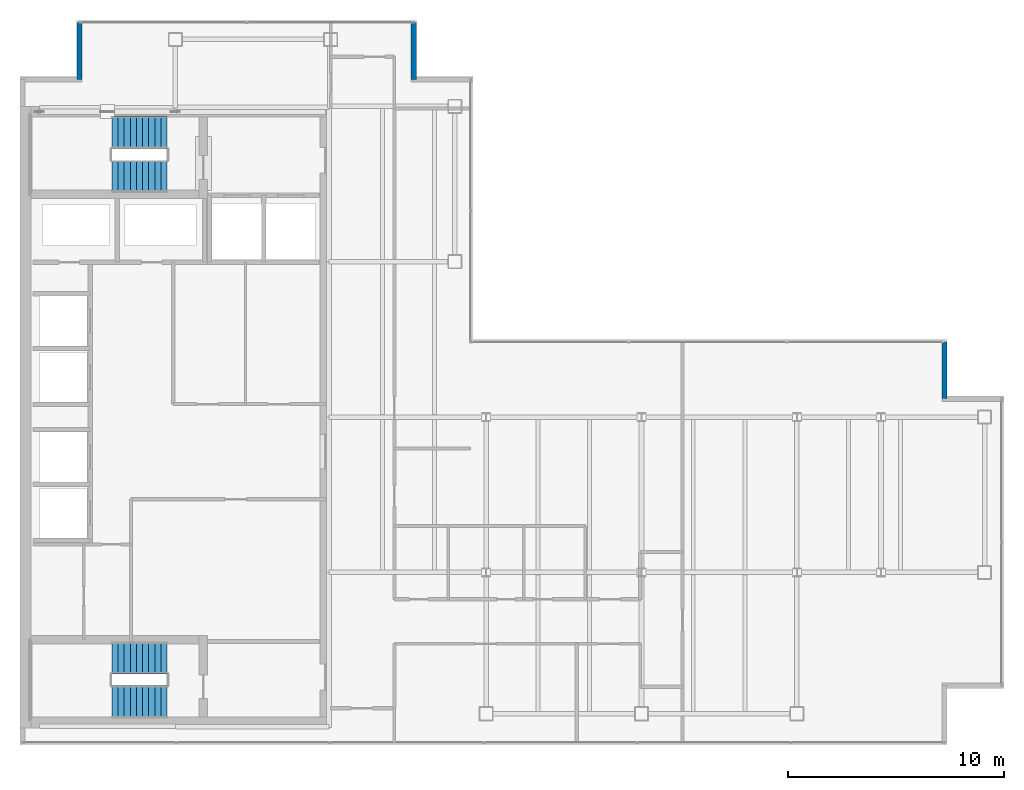
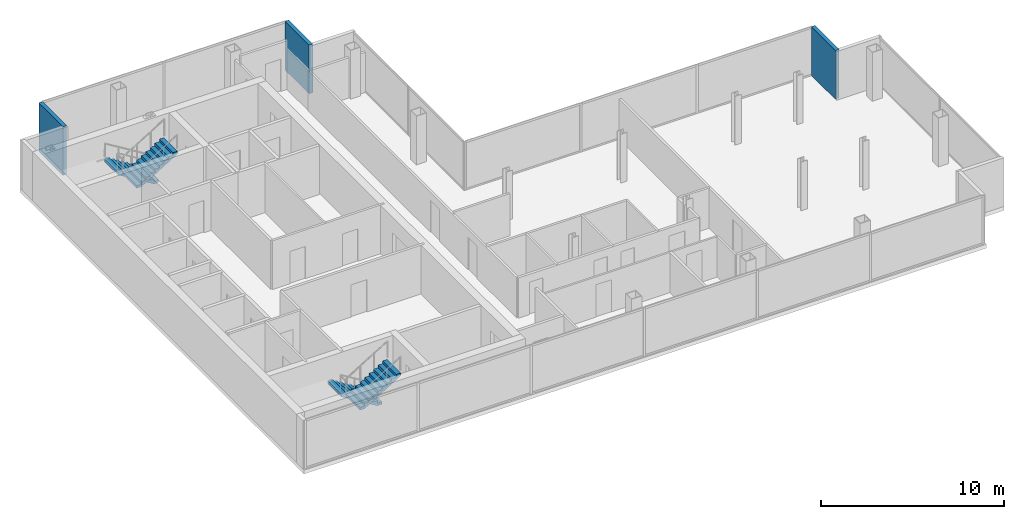
# One storey, part 22 of 23: 4 stair flights, 3 walls, 2 elements without a shape of their own.
"""IFC4 building model written with IfcOpenShell, lengths in metres."""

from ifc_helpers import new_model, si_unit, direction, frame, frame_2d, origin, place, context, subcontext, project, spatial, polyline, rectangle, outline, extrude, material, layer, layer_set, type_object, element, aggregate, save


model = new_model("IFC4")

# Units and contexts
model_context = context("Model", 3, precision=1e-05, world=origin(), true_north=direction((0.0, 1.0)))
body_context = subcontext(model_context, "Body", "Model", "MODEL_VIEW")
ifc_project = project(units=[si_unit("LENGTHUNIT", "METRE"), si_unit("AREAUNIT", "SQUARE_METRE"), si_unit("VOLUMEUNIT", "CUBIC_METRE"), si_unit("PLANEANGLEUNIT", "RADIAN"), si_unit("MASSUNIT", "GRAM", prefix="KILO")], contexts=[model_context])

# Site, building, storey
site_placement = place(None, origin())
site = spatial("IfcSite", under=ifc_project, at=site_placement, CompositionType="ELEMENT")
building_placement = place(site_placement, origin())
building = spatial("IfcBuilding", under=site, at=building_placement, Name="Cobrela Telecom Tower", CompositionType="ELEMENT")
storey_placement = place(building_placement, frame((0.0, 0.0, 276.14990234375)))
storey = spatial("IfcBuildingStorey", under=building, at=storey_placement, Name="L72", CompositionType="ELEMENT", Elevation=276.14990234375)

# Walls
ifc_material = material(Name="Concrete C40/50", Category="concrete")
ifc_layer = layer(ifc_material, 0.239990234375)
ifc_layer_set = layer_set([ifc_layer], Name="Concrete C40/50")
wall_type = type_object("IfcWallType", Name="WALL-EXT-300", PredefinedType="STANDARD", material=ifc_layer_set)
for number, where, z_axis, x_axis, name in (
    (1, (2.75, 37.25, 0.0), (0.0, 0.0, 1.0), (0.0, 1.0, 0.0), "L72 Insulated Facade Wall 04"),
    (2, (18.25, 39.8798828125, 0.0), (0.0, 0.0, 1.0), (0.0, -1.0, 0.0), "L72 Insulated Facade Wall 06"),
):
    element("IfcWall", number, at=place(storey_placement, frame(where, z_axis=z_axis, x_axis=x_axis)), inside=storey, type_object=wall_type, Name=name, PredefinedType="STANDARD", context=body_context, shape_type="SweptSolid", body=[
        extrude(rectangle(XDim=2.6298828125, YDim=0.239990234375, at=frame_2d((1.31494140625, 0.0))), origin(), (0.0, 0.0, 1.0), 3.239990234375),
    ])
wall_placement = place(storey_placement, frame((42.85009765625, 25.080078125, 0.0), z_axis=(0.0, 0.0, 1.0), x_axis=(0.0, -1.0, 0.0)))
element("IfcWall", 3, at=wall_placement, inside=storey, type_object=wall_type, Name="L72 Insulated Facade Wall 10", PredefinedType="STANDARD", context=body_context, shape_type="SweptSolid", body=[
    extrude(rectangle(XDim=2.630126953125, YDim=0.239990234375, at=frame_2d((1.31494140625, 0.0))), origin(), (0.0, 0.0, 1.0), 3.239990234375),
])

# Stair, stair flights
stair_type = type_object("IfcStairType", Name="STAIR-CORE", PredefinedType="HALF_TURN_STAIR", material=ifc_material)
stair_1_placement = place(storey_placement, origin())
stair_1 = element("IfcStair", 4, at=stair_1_placement, inside=storey, type_object=stair_type, Name="L72 Smokeproof Exit Stair ST1", PredefinedType="HALF_TURN_STAIR")
stair_flight_type = type_object("IfcStairFlightType", Name="FLIGHT-CORE", PredefinedType="STRAIGHT", material=ifc_material)
stair_flight_1_placement = place(storey_placement, frame((6.820068359375, 34.800048828125, 0.0), z_axis=(0.0, 0.0, 1.0), x_axis=(-1.0, 0.0, 0.0)))
stair_flight_1 = element("IfcStairFlight", 5, at=stair_flight_1_placement, type_object=stair_flight_type, Name="ST1 flight 1", NumberOfRisers=10, NumberOfTreads=9, PredefinedType="STRAIGHT", RiserHeight=0.175, TreadLength=0.285, context=body_context, shape_type="SweptSolid", body=[
    extrude(outline(polyline([(0.0, 0.0), (0.0, 0.175048828125), (0.284912109375, 0.175048828125), (0.284912109375, 0.35009765625), (0.570068359375, 0.35009765625), (0.570068359375, 0.52490234375), (0.85498046875, 0.52490234375), (0.85498046875, 0.699951171875), (1.139892578125, 0.699951171875), (1.139892578125, 0.875), (1.425048828125, 0.875), (1.425048828125, 1.050048828125), (1.7099609375, 1.050048828125), (1.7099609375, 1.22509765625), (1.9951171875, 1.22509765625), (1.9951171875, 1.39990234375), (2.280029296875, 1.39990234375), (2.280029296875, 1.574951171875), (2.56494140625, 1.574951171875), (2.56494140625, 1.75), (2.56494140625, 1.399169921875), (0.286376953125, 0.0), (0.0, 0.0)])), frame((0.0, 0.75, 0.0), z_axis=(0.0, -1.0, 0.0), x_axis=(1.0, 0.0, 0.0)), (0.0, 0.0, 1.0), 1.5),
])
stair_flight_2_placement = place(storey_placement, frame((4.2548828125, 32.75, 1.75), z_axis=(0.0, 0.0, 1.0), x_axis=(1.0, 0.0, 0.0)))
stair_flight_2 = element("IfcStairFlight", 6, at=stair_flight_2_placement, type_object=stair_flight_type, Name="ST1 flight 2", NumberOfRisers=10, NumberOfTreads=9, PredefinedType="STRAIGHT", RiserHeight=0.175, TreadLength=0.285, context=body_context, shape_type="SweptSolid", body=[
    extrude(outline(polyline([(0.0, 0.0), (0.0, 0.175048828125), (0.284912109375, 0.175048828125), (0.284912109375, 0.35009765625), (0.570068359375, 0.35009765625), (0.570068359375, 0.52490234375), (0.85498046875, 0.52490234375), (0.85498046875, 0.699951171875), (1.139892578125, 0.699951171875), (1.139892578125, 0.875), (1.425048828125, 0.875), (1.425048828125, 1.050048828125), (1.7099609375, 1.050048828125), (1.7099609375, 1.22509765625), (1.9951171875, 1.22509765625), (1.9951171875, 1.39990234375), (2.280029296875, 1.39990234375), (2.280029296875, 1.574951171875), (2.56494140625, 1.574951171875), (2.56494140625, 1.75), (2.56494140625, 1.399169921875), (0.286376953125, 0.0), (0.0, 0.0)])), frame((0.0, 0.75, 0.0), z_axis=(0.0, -1.0, 0.0), x_axis=(1.0, 0.0, 0.0)), (0.0, 0.0, 1.0), 1.5),
])
aggregate(stair_1, [stair_flight_1, stair_flight_2])

stair_2_placement = place(storey_placement, origin())
stair_2 = element("IfcStair", 7, at=stair_2_placement, inside=storey, type_object=stair_type, Name="L72 Smokeproof Exit Stair ST2", PredefinedType="HALF_TURN_STAIR")
stair_flight_3_placement = place(storey_placement, frame((6.820068359375, 10.449951171875, 0.0), z_axis=(0.0, 0.0, 1.0), x_axis=(-1.0, 0.0, 0.0)))
stair_flight_3 = element("IfcStairFlight", 8, at=stair_flight_3_placement, type_object=stair_flight_type, Name="ST2 flight 1", NumberOfRisers=10, NumberOfTreads=9, PredefinedType="STRAIGHT", RiserHeight=0.175, TreadLength=0.285, context=body_context, shape_type="SweptSolid", body=[
    extrude(outline(polyline([(0.0, 0.0), (0.0, 0.175048828125), (0.284912109375, 0.175048828125), (0.284912109375, 0.35009765625), (0.570068359375, 0.35009765625), (0.570068359375, 0.52490234375), (0.85498046875, 0.52490234375), (0.85498046875, 0.699951171875), (1.139892578125, 0.699951171875), (1.139892578125, 0.875), (1.425048828125, 0.875), (1.425048828125, 1.050048828125), (1.7099609375, 1.050048828125), (1.7099609375, 1.22509765625), (1.9951171875, 1.22509765625), (1.9951171875, 1.39990234375), (2.280029296875, 1.39990234375), (2.280029296875, 1.574951171875), (2.56494140625, 1.574951171875), (2.56494140625, 1.75), (2.56494140625, 1.399169921875), (0.286376953125, 0.0), (0.0, 0.0)])), frame((0.0, 0.75, 0.0), z_axis=(0.0, -1.0, 0.0), x_axis=(1.0, 0.0, 0.0)), (0.0, 0.0, 1.0), 1.5),
])
stair_flight_4_placement = place(storey_placement, frame((4.2548828125, 8.39990234375, 1.75), z_axis=(0.0, 0.0, 1.0), x_axis=(1.0, 0.0, 0.0)))
stair_flight_4 = element("IfcStairFlight", 9, at=stair_flight_4_placement, type_object=stair_flight_type, Name="ST2 flight 2", NumberOfRisers=10, NumberOfTreads=9, PredefinedType="STRAIGHT", RiserHeight=0.175, TreadLength=0.285, context=body_context, shape_type="SweptSolid", body=[
    extrude(outline(polyline([(0.0, 0.0), (0.0, 0.175048828125), (0.284912109375, 0.175048828125), (0.284912109375, 0.35009765625), (0.570068359375, 0.35009765625), (0.570068359375, 0.52490234375), (0.85498046875, 0.52490234375), (0.85498046875, 0.699951171875), (1.139892578125, 0.699951171875), (1.139892578125, 0.875), (1.425048828125, 0.875), (1.425048828125, 1.050048828125), (1.7099609375, 1.050048828125), (1.7099609375, 1.22509765625), (1.9951171875, 1.22509765625), (1.9951171875, 1.39990234375), (2.280029296875, 1.39990234375), (2.280029296875, 1.574951171875), (2.56494140625, 1.574951171875), (2.56494140625, 1.75), (2.56494140625, 1.399169921875), (0.286376953125, 0.0), (0.0, 0.0)])), frame((0.0, 0.75, 0.0), z_axis=(0.0, -1.0, 0.0), x_axis=(1.0, 0.0, 0.0)), (0.0, 0.0, 1.0), 1.5),
])
aggregate(stair_2, [stair_flight_3, stair_flight_4])

save(model, "model.ifc")
